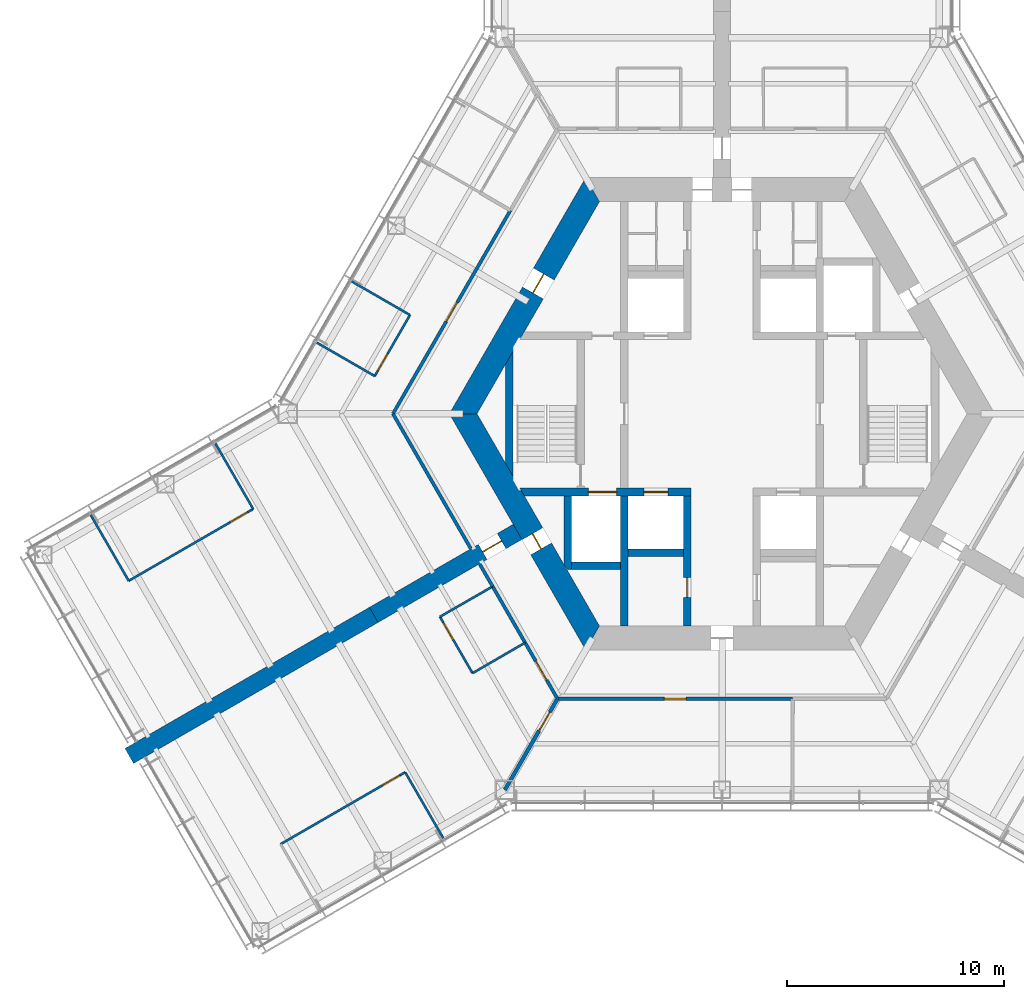
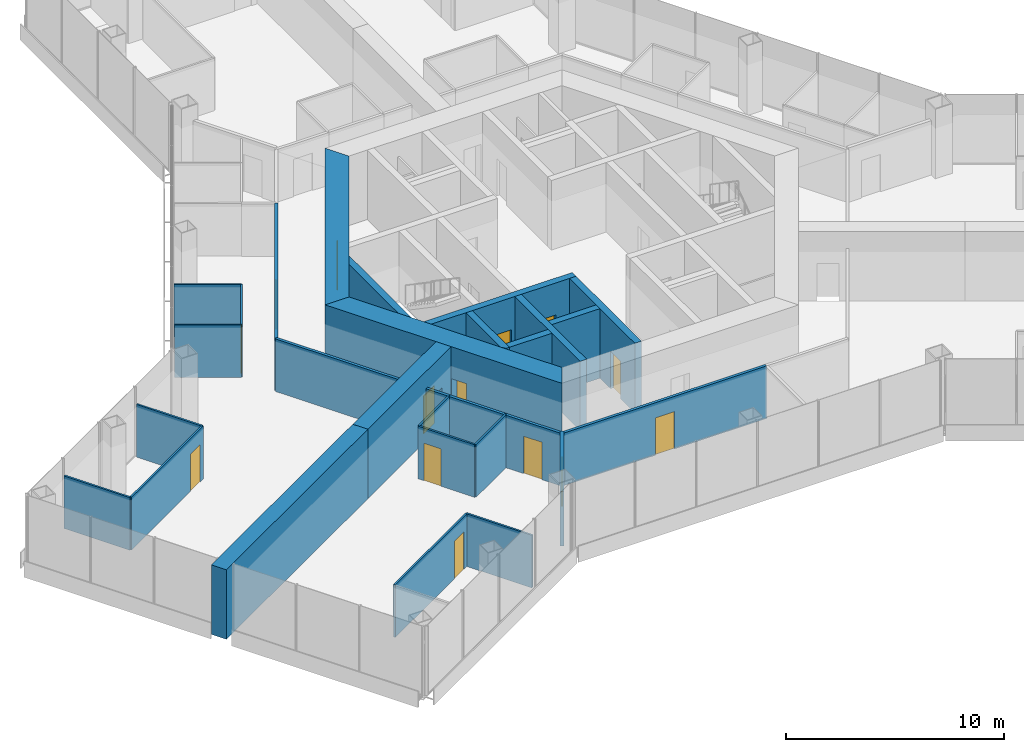
# One storey, part 12 of 18: 29 walls, 14 doors, 14 openings.
"""IFC4 building model written with IfcOpenShell, lengths in metres."""

from ifc_helpers import new_model, si_unit, direction, frame, frame_2d, origin, place, context, subcontext, project, spatial, polyline, rectangle, outline, extrude, material, layer, layer_set, type_object, element, fill, save


model = new_model("IFC4")

# Units and contexts
model_context = context("Model", 3, precision=1e-05, world=origin(), true_north=direction((0.0, 1.0)))
body_context = subcontext(model_context, "Body", "Model", "MODEL_VIEW")
ifc_project = project(units=[si_unit("LENGTHUNIT", "METRE"), si_unit("AREAUNIT", "SQUARE_METRE"), si_unit("VOLUMEUNIT", "CUBIC_METRE"), si_unit("PLANEANGLEUNIT", "RADIAN"), si_unit("MASSUNIT", "GRAM", prefix="KILO")], contexts=[model_context])

# Site, building, storey
site_placement = place(None, origin())
site = spatial("IfcSite", under=ifc_project, at=site_placement, CompositionType="ELEMENT")
building_placement = place(site_placement, origin())
building = spatial("IfcBuilding", under=site, at=building_placement, Name="Kasaneha Research Tower", CompositionType="ELEMENT")
storey_placement = place(building_placement, frame((0.0, 0.0, 65.10009765625)))
storey = spatial("IfcBuildingStorey", under=building, at=storey_placement, Name="L16", CompositionType="ELEMENT", Elevation=65.10009765625)

# Wall, openings, doors
ifc_material_1 = material(Name="Concrete Fc80", Category="concrete")
ifc_layer_1 = layer(ifc_material_1, 0.35009765625)
ifc_layer_set_1 = layer_set([ifc_layer_1], Name="Core internal wall 350 Fc80")
wall_type_1 = type_object("IfcWallType", Name="Core internal wall 350 Fc80", PredefinedType="SHEAR", material=ifc_layer_set_1)
wall_1_placement = place(storey_placement, frame((-9.208740234375, -3.60009765625, 0.0), z_axis=(0.0, 0.0, 1.0), x_axis=(1.0, 0.0, 0.0)))
wall_1 = element("IfcWall", 1, at=wall_1_placement, inside=storey, type_object=wall_type_1, Name="Core wall W2W L16", PredefinedType="SHEAR", context=body_context, shape_type="SweptSolid", body=[
    extrude(outline(polyline([(0.10107421875, -0.175048828125), (3.058837890625, -0.175048828125), (4.35888671875, -0.175048828125), (5.608642578125, -0.175048828125), (6.708740234375, -0.175048828125), (7.78369140625, -0.175048828125), (7.78369140625, 0.175048828125), (6.708740234375, 0.175048828125), (5.608642578125, 0.175048828125), (4.35888671875, 0.175048828125), (3.058837890625, 0.175048828125), (-0.10107421875, 0.175048828125), (0.10107421875, -0.175048828125)])), origin(), (0.0, 0.0, 1.0), 3.89990234375),
])
opening_1_placement = place(wall_1_placement, frame((5.608642578125, 0.0, 0.0)))
opening_1 = element("IfcOpeningElement", 2, at=opening_1_placement, cuts=wall_1, Name="Opening LD-LO2-L16", PredefinedType="OPENING", context=body_context, shape_type="SweptSolid", body=[
    extrude(rectangle(XDim=1.10009765625, YDim=2.10009765625, at=frame_2d((0.550048828125, 1.050048828125))), frame((0.0, 0.18505859375, 0.0), z_axis=(0.0, -1.0, 0.0), x_axis=(1.0, 0.0, 0.0)), (0.0, 0.0, 1.0), 0.3701171875),
])
opening_2_placement = place(wall_1_placement, frame((3.058837890625, 0.0, 0.0)))
opening_2 = element("IfcOpeningElement", 3, at=opening_2_placement, cuts=wall_1, Name="Opening LD-FL2-L16", PredefinedType="OPENING", context=body_context, shape_type="SweptSolid", body=[
    extrude(rectangle(XDim=1.300048828125, YDim=2.10009765625, at=frame_2d((0.64990234375, 1.050048828125))), frame((0.0, 0.18505859375, 0.0), z_axis=(0.0, -1.0, 0.0), x_axis=(1.0, 0.0, 0.0)), (0.0, 0.0, 1.0), 0.3701171875),
])
ifc_material_2 = material(Name="Steel", Category="steel")
door_type_1 = type_object("IfcDoorType", Name="Lift landing door 1100x2100", OperationType="DOUBLE_DOOR_SLIDING", PredefinedType="DOOR", material=ifc_material_2)
door_1_placement = place(opening_1_placement, origin())
door_1 = element("IfcDoor", 4, at=door_1_placement, inside=storey, type_object=door_type_1, Name="Landing door LO2 LD-LO2-L16", OperationType="DOUBLE_DOOR_SLIDING", OverallHeight=2.10009765625, OverallWidth=1.10009765625, PredefinedType="DOOR", context=body_context, shape_type="SweptSolid", body=[
    extrude(rectangle(XDim=1.10009765625, YDim=2.10009765625, at=frame_2d((0.550048828125, 1.050048828125))), frame((0.0, 0.02490234375, 0.0), z_axis=(0.0, -1.0, 0.0), x_axis=(1.0, 0.0, 0.0)), (0.0, 0.0, 1.0), 0.050048828125),
])
fill(opening_1, door_1)
ifc_material_3 = material(Name="Steel", Category="steel")
door_type_2 = type_object("IfcDoorType", Name="Lift landing door 1300x2100", OperationType="DOUBLE_DOOR_SLIDING", PredefinedType="DOOR", material=ifc_material_3)
door_2_placement = place(opening_2_placement, origin())
door_2 = element("IfcDoor", 5, at=door_2_placement, inside=storey, type_object=door_type_2, Name="Landing door FL2 LD-FL2-L16", OperationType="DOUBLE_DOOR_SLIDING", OverallHeight=2.10009765625, OverallWidth=1.300048828125, PredefinedType="DOOR", context=body_context, shape_type="SweptSolid", body=[
    extrude(rectangle(XDim=1.300048828125, YDim=2.10009765625, at=frame_2d((0.64990234375, 1.050048828125))), frame((0.0, 0.02490234375, 0.0), z_axis=(0.0, -1.0, 0.0), x_axis=(1.0, 0.0, 0.0)), (0.0, 0.0, 1.0), 0.050048828125),
])
fill(opening_2, door_2)

# Wall, opening, door
wall_2_placement = place(storey_placement, frame((-1.60009765625, -3.77490234375, 0.0), z_axis=(0.0, 0.0, 1.0), x_axis=(0.0, -1.0, 0.0)))
wall_2 = element("IfcWall", 6, at=wall_2_placement, inside=storey, type_object=wall_type_1, Name="Core wall CSW L16", PredefinedType="SHEAR", context=body_context, shape_type="SweptSolid", body=[
    extrude(rectangle(XDim=6.0, YDim=0.35009765625, at=frame_2d((3.0, 0.0))), origin(), (0.0, 0.0, 1.0), 3.89990234375),
])
opening_3_placement = place(wall_2_placement, frame((3.77490234375, 0.0, 0.0)))
opening_3 = element("IfcOpeningElement", 7, at=opening_3_placement, cuts=wall_2, Name="Opening L16-D16", PredefinedType="OPENING", context=body_context, shape_type="SweptSolid", body=[
    extrude(rectangle(XDim=0.89990234375, YDim=2.10009765625, at=frame_2d((0.449951171875, 1.050048828125))), frame((0.0, 0.18505859375, 0.0), z_axis=(0.0, -1.0, 0.0), x_axis=(1.0, 0.0, 0.0)), (0.0, 0.0, 1.0), 0.3701171875),
])
ifc_material_4 = material(Name="Steel", Category="steel")
door_type_3 = type_object("IfcDoorType", Name="Riser access door FD60 900x2100", OperationType="NOTDEFINED", PredefinedType="DOOR", material=ifc_material_4)
door_3_placement = place(opening_3_placement, origin())
door_3 = element("IfcDoor", 8, at=door_3_placement, inside=storey, type_object=door_type_3, Name="Electrical riser door L16-D16", OperationType="SINGLE_SWING_LEFT", OverallHeight=2.10009765625, OverallWidth=0.89990234375, PredefinedType="DOOR", context=body_context, shape_type="SweptSolid", body=[
    extrude(rectangle(XDim=0.89990234375, YDim=2.10009765625, at=frame_2d((0.449951171875, 1.050048828125))), frame((0.0, 0.02490234375, 0.0), z_axis=(0.0, -1.0, 0.0), x_axis=(1.0, 0.0, 0.0)), (0.0, 0.0, 1.0), 0.050048828125),
])
fill(opening_3, door_3)

# Walls
wall_3_placement = place(storey_placement, frame((-4.5, -3.77490234375, 0.0), z_axis=(0.0, 0.0, 1.0), x_axis=(0.0, -1.0, 0.0)))
element("IfcWall", 9, at=wall_3_placement, inside=storey, type_object=wall_type_1, Name="Core wall SSW L16", PredefinedType="SHEAR", context=body_context, shape_type="SweptSolid", body=[
    extrude(rectangle(XDim=6.0, YDim=0.35009765625, at=frame_2d((3.0, 0.0))), origin(), (0.0, 0.0, 1.0), 3.89990234375),
])
wall_4_placement = place(storey_placement, frame((-4.324951171875, -6.39990234375, 0.0), z_axis=(0.0, 0.0, 1.0), x_axis=(1.0, 0.0, 0.0)))
element("IfcWall", 10, at=wall_4_placement, inside=storey, type_object=wall_type_1, Name="Core wall S1S L16", PredefinedType="SHEAR", context=body_context, shape_type="SweptSolid", body=[
    extrude(rectangle(XDim=2.550048828125, YDim=0.35009765625, at=frame_2d((1.27490234375, 0.0))), origin(), (0.0, 0.0, 1.0), 3.89990234375),
])
wall_5_placement = place(storey_placement, frame((-6.925048828125, -7.0, 0.0), z_axis=(0.0, 0.0, 1.0), x_axis=(1.0, 0.0, 0.0)))
element("IfcWall", 11, at=wall_5_placement, inside=storey, type_object=wall_type_1, Name="Core wall F2S L16", PredefinedType="SHEAR", context=body_context, shape_type="SweptSolid", body=[
    extrude(rectangle(XDim=2.25, YDim=0.35009765625, at=frame_2d((1.125, 0.0))), origin(), (0.0, 0.0, 1.0), 3.89990234375),
])
wall_6_placement = place(storey_placement, frame((-7.10009765625, -3.77490234375, 0.0), z_axis=(0.0, 0.0, 1.0), x_axis=(0.0, -1.0, 0.0)))
element("IfcWall", 12, at=wall_6_placement, inside=storey, type_object=wall_type_1, Name="Core wall F2W L16", PredefinedType="SHEAR", context=body_context, shape_type="SweptSolid", body=[
    extrude(outline(polyline([(0.0, -0.175048828125), (3.174560546875, -0.175048828125), (3.400146484375, 0.0), (3.400146484375, 0.175048828125), (0.0, 0.175048828125), (0.0, -0.175048828125)])), origin(), (0.0, 0.0, 1.0), 3.89990234375),
])
wall_7_placement = place(storey_placement, frame((-9.807861328125, -2.562255859375, 0.0), z_axis=(0.0, 0.0, 1.0), x_axis=(0.0, 1.0, 0.0)))
element("IfcWall", 13, at=wall_7_placement, inside=storey, type_object=wall_type_1, Name="Core wall STW L16", PredefinedType="SHEAR", context=body_context, shape_type="SweptSolid", body=[
    extrude(outline(polyline([(-0.30322265625, -0.175048828125), (5.427734375, -0.175048828125), (4.8212890625, 0.175048828125), (0.30322265625, 0.175048828125), (-0.30322265625, -0.175048828125)])), origin(), (0.0, 0.0, 1.0), 3.89990234375),
])

# Wall, opening, door
ifc_material_5 = material(Name="Concrete Fc80", Category="concrete")
ifc_layer_2 = layer(ifc_material_5, 1.10009765625)
ifc_layer_set_2 = layer_set([ifc_layer_2], Name="Core wall 1100 Fc80")
wall_type_2 = type_object("IfcWallType", Name="Core wall 1100 Fc80", PredefinedType="SHEAR", material=ifc_layer_set_2)
wall_8_placement = place(storey_placement, frame((-5.961181640625, 10.324951171875, 0.0), z_axis=(0.0, 0.0, 1.0), x_axis=(-0.500004296715, -0.866022923061, 0.0)))
wall_8 = element("IfcWall", 14, at=wall_8_placement, inside=storey, type_object=wall_type_2, Name="Core wall 150 L16", PredefinedType="SHEAR", context=body_context, shape_type="SweptSolid", body=[
    extrude(outline(polyline([(-0.317626953125, -0.550048828125), (4.494140625, -0.550048828125), (5.494140625, -0.550048828125), (12.239990234375, -0.550048828125), (11.604736328125, 0.550048828125), (5.494140625, 0.550048828125), (4.494140625, 0.550048828125), (0.317626953125, 0.550048828125), (-0.317626953125, -0.550048828125)])), origin(), (0.0, 0.0, 1.0), 3.89990234375),
])
opening_4_placement = place(wall_8_placement, frame((4.494140625, 0.0, 0.0)))
opening_4 = element("IfcOpeningElement", 15, at=opening_4_placement, cuts=wall_8, Name="Opening L16-D07", PredefinedType="OPENING", context=body_context, shape_type="SweptSolid", body=[
    extrude(rectangle(XDim=1.0, YDim=2.10009765625, at=frame_2d((0.5, 1.050048828125))), frame((0.0, 0.56005859375, 0.0), z_axis=(0.0, -1.0, 0.0), x_axis=(1.0, 0.0, 0.0)), (0.0, 0.0, 1.0), 1.1201171875),
])
ifc_material_6 = material(Name="Steel", Category="steel")
door_type_4 = type_object("IfcDoorType", Name="Fire door FD20 1000x2100", OperationType="NOTDEFINED", PredefinedType="DOOR", material=ifc_material_6)
door_4_placement = place(opening_4_placement, origin())
door_4 = element("IfcDoor", 16, at=door_4_placement, inside=storey, type_object=door_type_4, Name="Vestibule door L16-D07", OperationType="SINGLE_SWING_LEFT", OverallHeight=2.10009765625, OverallWidth=1.0, PredefinedType="DOOR", context=body_context, shape_type="SweptSolid", body=[
    extrude(rectangle(XDim=1.0, YDim=2.10009765625, at=frame_2d((0.5, 1.050048828125))), frame((0.0, 0.02490234375, 0.0), z_axis=(0.0, -1.0, 0.0), x_axis=(1.0, 0.0, 0.0)), (0.0, 0.0, 1.0), 0.050048828125),
])
fill(opening_4, door_4)

wall_9_placement = place(storey_placement, frame((-11.92236328125, 0.0, 0.0), z_axis=(0.0, 0.0, 1.0), x_axis=(0.500004296715, -0.866022923061, 0.0)))
wall_9 = element("IfcWall", 17, at=wall_9_placement, inside=storey, type_object=wall_type_2, Name="Core wall 210 L16", PredefinedType="SHEAR", context=body_context, shape_type="SweptSolid", body=[
    extrude(outline(polyline([(-0.317626953125, -0.550048828125), (6.381103515625, -0.550048828125), (7.18115234375, -0.550048828125), (12.239990234375, -0.550048828125), (11.604736328125, 0.550048828125), (7.18115234375, 0.550048828125), (6.381103515625, 0.550048828125), (0.317626953125, 0.550048828125), (-0.317626953125, -0.550048828125)])), origin(), (0.0, 0.0, 1.0), 3.89990234375),
])
opening_5_placement = place(wall_9_placement, frame((6.381103515625, 0.0, 0.0)))
opening_5 = element("IfcOpeningElement", 18, at=opening_5_placement, cuts=wall_9, Name="Opening L16-D06", PredefinedType="OPENING", context=body_context, shape_type="SweptSolid", body=[
    extrude(rectangle(XDim=0.800048828125, YDim=2.10009765625, at=frame_2d((0.39990234375, 1.050048828125))), frame((0.0, 0.56005859375, 0.0), z_axis=(0.0, -1.0, 0.0), x_axis=(1.0, 0.0, 0.0)), (0.0, 0.0, 1.0), 1.1201171875),
])
ifc_material_7 = material(Name="Steel", Category="steel")
door_type_5 = type_object("IfcDoorType", Name="Riser access door FD60 800x2100", OperationType="NOTDEFINED", PredefinedType="DOOR", material=ifc_material_7)
door_5_placement = place(opening_5_placement, origin())
door_5 = element("IfcDoor", 19, at=door_5_placement, inside=storey, type_object=door_type_5, Name="Duct riser door L16-D06", OperationType="SINGLE_SWING_RIGHT", OverallHeight=2.10009765625, OverallWidth=0.800048828125, PredefinedType="DOOR", context=body_context, shape_type="SweptSolid", body=[
    extrude(rectangle(XDim=0.800048828125, YDim=2.10009765625, at=frame_2d((0.39990234375, 1.050048828125))), frame((0.0, 0.02490234375, 0.0), z_axis=(0.0, -1.0, 0.0), x_axis=(1.0, 0.0, 0.0)), (0.0, 0.0, 1.0), 0.050048828125),
])
fill(opening_5, door_5)

# Walls
ifc_material_8 = material(Name="Gypsum board on steel studs, one layer each side", Category="steel")
ifc_layer_3 = layer(ifc_material_8, 0.10009765625)
ifc_layer_set_3 = layer_set([ifc_layer_3], Name="Office partition 100")
wall_type_3 = type_object("IfcWallType", Name="Office partition 100", PredefinedType="PARTITIONING", material=ifc_layer_set_3)
wall_10_placement = place(storey_placement, frame((-27.324951171875, -7.693115234375, 0.0), z_axis=(0.0, 0.0, 1.0), x_axis=(-0.500010275428, 0.866019471182, 0.0)))
element("IfcWall", 20, at=wall_10_placement, inside=storey, type_object=wall_type_3, Name="Office partition FBN04 L16", PredefinedType="PARTITIONING", context=body_context, shape_type="SweptSolid", body=[
    extrude(rectangle(XDim=3.5, YDim=0.10009765625, at=frame_2d((1.75, 0.0))), origin(), (0.0, 0.0, 1.0), 2.949951171875),
])
wall_11_placement = place(storey_placement, frame((-23.332275390625, -1.36962890625, 0.0), z_axis=(0.0, 0.0, 1.0), x_axis=(0.500009906705, -0.86601968407, 0.0)))
element("IfcWall", 21, at=wall_11_placement, inside=storey, type_object=wall_type_3, Name="Office partition FBN05 L16", PredefinedType="PARTITIONING", context=body_context, shape_type="SweptSolid", body=[
    extrude(rectangle(XDim=3.47998046875, YDim=0.10009765625, at=frame_2d((1.739990234375, 0.0))), origin(), (0.0, 0.0, 1.0), 2.949951171875),
])

# Wall, opening, door
wall_12_placement = place(storey_placement, frame((-21.59228515625, -4.38330078125, 0.0), z_axis=(0.0, 0.0, 1.0), x_axis=(-0.866021597574, -0.500006592492, 0.0)))
wall_12 = element("IfcWall", 22, at=wall_12_placement, inside=storey, type_object=wall_type_3, Name="Office partition FBN06 L16", PredefinedType="PARTITIONING", context=body_context, shape_type="SweptSolid", body=[
    extrude(rectangle(XDim=6.61962890625, YDim=0.10009765625, at=frame_2d((3.309814453125, 0.0))), origin(), (0.0, 0.0, 1.0), 2.949951171875),
])
opening_6_placement = place(wall_12_placement, frame((0.300048828125, 0.0, 0.0)))
opening_6 = element("IfcOpeningElement", 23, at=opening_6_placement, cuts=wall_12, Name="Opening L16-D41", PredefinedType="OPENING", context=body_context, shape_type="SweptSolid", body=[
    extrude(rectangle(XDim=0.89990234375, YDim=2.10009765625, at=frame_2d((0.449951171875, 1.050048828125))), frame((0.0, 0.06005859375, 0.0), z_axis=(0.0, -1.0, 0.0), x_axis=(1.0, 0.0, 0.0)), (0.0, 0.0, 1.0), 0.1201171875),
])
ifc_material_9 = material(Name="Timber veneer", Category="wood")
door_type_6 = type_object("IfcDoorType", Name="Office door 900x2100", OperationType="SINGLE_SWING_LEFT", PredefinedType="DOOR", material=ifc_material_9)
door_6_placement = place(opening_6_placement, origin())
door_6 = element("IfcDoor", 24, at=door_6_placement, inside=storey, type_object=door_type_6, Name="Meeting room door L16-D41", OperationType="SINGLE_SWING_LEFT", OverallHeight=2.10009765625, OverallWidth=0.89990234375, PredefinedType="DOOR", context=body_context, shape_type="SweptSolid", body=[
    extrude(rectangle(XDim=0.89990234375, YDim=2.10009765625, at=frame_2d((0.449951171875, 1.050048828125))), frame((0.0, 0.02490234375, 0.0), z_axis=(0.0, -1.0, 0.0), x_axis=(1.0, 0.0, 0.0)), (0.0, 0.0, 1.0), 0.050048828125),
])
fill(opening_6, door_6)

# Walls
wall_13_placement = place(storey_placement, frame((-17.05615234375, 6.098876953125, 0.0), z_axis=(0.0, 0.0, 1.0), x_axis=(0.86600983753, -0.500026960575, 0.0)))
element("IfcWall", 25, at=wall_13_placement, inside=storey, type_object=wall_type_3, Name="Office partition FBN10 L16", PredefinedType="PARTITIONING", context=body_context, shape_type="SweptSolid", body=[
    extrude(rectangle(XDim=3.099853515625, YDim=0.10009765625, at=frame_2d((1.5498046875, 0.0))), origin(), (0.0, 0.0, 1.0), 2.949951171875),
])
wall_14_placement = place(storey_placement, frame((-15.99462890625, 1.7373046875, 0.0), z_axis=(0.0, 0.0, 1.0), x_axis=(-0.866029832698, 0.499992328818, 0.0)))
element("IfcWall", 26, at=wall_14_placement, inside=storey, type_object=wall_type_3, Name="Office partition FBN11 L16", PredefinedType="PARTITIONING", context=body_context, shape_type="SweptSolid", body=[
    extrude(rectangle(XDim=3.080078125, YDim=0.10009765625, at=frame_2d((1.5400390625, 0.0))), origin(), (0.0, 0.0, 1.0), 2.949951171875),
])

# Wall, opening, door
wall_15_placement = place(storey_placement, frame((-14.37158203125, 4.548828125, 0.0), z_axis=(0.0, 0.0, 1.0), x_axis=(-0.499956811548, -0.866050337213, 0.0)))
wall_15 = element("IfcWall", 27, at=wall_15_placement, inside=storey, type_object=wall_type_3, Name="Office partition FBN12 L16", PredefinedType="PARTITIONING", context=body_context, shape_type="SweptSolid", body=[
    extrude(rectangle(XDim=3.246337890625, YDim=0.10009765625, at=frame_2d((1.623046875, 0.0))), origin(), (0.0, 0.0, 1.0), 2.949951171875),
])
opening_7_placement = place(wall_15_placement, frame((2.04638671875, 0.0, 0.0)))
opening_7 = element("IfcOpeningElement", 28, at=opening_7_placement, cuts=wall_15, Name="Opening L16-D43", PredefinedType="OPENING", context=body_context, shape_type="SweptSolid", body=[
    extrude(rectangle(XDim=0.89990234375, YDim=2.10009765625, at=frame_2d((0.449951171875, 1.050048828125))), frame((0.0, 0.06005859375, 0.0), z_axis=(0.0, -1.0, 0.0), x_axis=(1.0, 0.0, 0.0)), (0.0, 0.0, 1.0), 0.1201171875),
])
door_7_placement = place(opening_7_placement, origin())
door_7 = element("IfcDoor", 29, at=door_7_placement, inside=storey, type_object=door_type_6, Name="Workroom door L16-D43", OperationType="SINGLE_SWING_RIGHT", OverallHeight=2.10009765625, OverallWidth=0.89990234375, PredefinedType="DOOR", context=body_context, shape_type="SweptSolid", body=[
    extrude(rectangle(XDim=0.89990234375, YDim=2.10009765625, at=frame_2d((0.449951171875, 1.050048828125))), frame((0.0, 0.02490234375, 0.0), z_axis=(0.0, -1.0, 0.0), x_axis=(1.0, 0.0, 0.0)), (0.0, 0.0, 1.0), 0.050048828125),
])
fill(opening_7, door_7)

wall_16_placement = place(storey_placement, frame((-20.324951171875, -19.8173828125, 0.0), z_axis=(0.0, 0.0, 1.0), x_axis=(0.866037567856, 0.499978930619, 0.0)))
wall_16 = element("IfcWall", 30, at=wall_16_placement, inside=storey, type_object=wall_type_3, Name="Office partition FBS04 L16", PredefinedType="PARTITIONING", context=body_context, shape_type="SweptSolid", body=[
    extrude(rectangle(XDim=6.619384765625, YDim=0.10009765625, at=frame_2d((3.3095703125, 0.0))), origin(), (0.0, 0.0, 1.0), 2.949951171875),
])
opening_8_placement = place(wall_16_placement, frame((5.419677734375, 0.0, 0.0)))
opening_8 = element("IfcOpeningElement", 31, at=opening_8_placement, cuts=wall_16, Name="Opening L16-D46", PredefinedType="OPENING", context=body_context, shape_type="SweptSolid", body=[
    extrude(rectangle(XDim=0.89990234375, YDim=2.10009765625, at=frame_2d((0.449951171875, 1.050048828125))), frame((0.0, 0.06005859375, 0.0), z_axis=(0.0, -1.0, 0.0), x_axis=(1.0, 0.0, 0.0)), (0.0, 0.0, 1.0), 0.1201171875),
])
door_8_placement = place(opening_8_placement, origin())
door_8 = element("IfcDoor", 32, at=door_8_placement, inside=storey, type_object=door_type_6, Name="Meeting room door L16-D46", OperationType="SINGLE_SWING_RIGHT", OverallHeight=2.10009765625, OverallWidth=0.89990234375, PredefinedType="DOOR", context=body_context, shape_type="SweptSolid", body=[
    extrude(rectangle(XDim=0.89990234375, YDim=2.10009765625, at=frame_2d((0.449951171875, 1.050048828125))), frame((0.0, 0.02490234375, 0.0), z_axis=(0.0, -1.0, 0.0), x_axis=(1.0, 0.0, 0.0)), (0.0, 0.0, 1.0), 0.050048828125),
])
fill(opening_8, door_8)

# Walls
wall_17_placement = place(storey_placement, frame((-14.59228515625, -16.5078125, 0.0), z_axis=(0.0, 0.0, 1.0), x_axis=(0.500010275428, -0.866019471182, 0.0)))
element("IfcWall", 33, at=wall_17_placement, inside=storey, type_object=wall_type_3, Name="Office partition FBS06 L16", PredefinedType="PARTITIONING", context=body_context, shape_type="SweptSolid", body=[
    extrude(rectangle(XDim=3.5, YDim=0.10009765625, at=frame_2d((1.75, 0.0))), origin(), (0.0, 0.0, 1.0), 2.949951171875),
])
wall_18_placement = place(storey_placement, frame((-12.991455078125, -9.34814453125, 0.0), z_axis=(0.0, 0.0, 1.0), x_axis=(0.866817750494, 0.498625097071, 0.0)))
element("IfcWall", 34, at=wall_18_placement, inside=storey, type_object=wall_type_3, Name="Office partition FBS07 L16", PredefinedType="PARTITIONING", context=body_context, shape_type="SweptSolid", body=[
    extrude(rectangle(XDim=2.80029296875, YDim=0.10009765625, at=frame_2d((1.400146484375, 0.0))), origin(), (0.0, 0.0, 1.0), 2.949951171875),
])

# Wall, opening, door
wall_19_placement = place(storey_placement, frame((-11.491455078125, -11.9462890625, 0.0), z_axis=(0.0, 0.0, 1.0), x_axis=(-0.499990139034, 0.866031096941, 0.0)))
wall_19 = element("IfcWall", 35, at=wall_19_placement, inside=storey, type_object=wall_type_3, Name="Office partition FBS08 L16", PredefinedType="PARTITIONING", context=body_context, shape_type="SweptSolid", body=[
    extrude(rectangle(XDim=3.0, YDim=0.10009765625, at=frame_2d((1.5, 0.0))), origin(), (0.0, 0.0, 1.0), 2.949951171875),
])
opening_9_placement = place(wall_19_placement, frame((1.800048828125, 0.0, 0.0)))
opening_9 = element("IfcOpeningElement", 36, at=opening_9_placement, cuts=wall_19, Name="Opening L16-D47", PredefinedType="OPENING", context=body_context, shape_type="SweptSolid", body=[
    extrude(rectangle(XDim=0.89990234375, YDim=2.10009765625, at=frame_2d((0.449951171875, 1.050048828125))), frame((0.0, 0.06005859375, 0.0), z_axis=(0.0, -1.0, 0.0), x_axis=(1.0, 0.0, 0.0)), (0.0, 0.0, 1.0), 0.1201171875),
])
door_9_placement = place(opening_9_placement, origin())
door_9 = element("IfcDoor", 37, at=door_9_placement, inside=storey, type_object=door_type_6, Name="Pantry door L16-D47", OperationType="SINGLE_SWING_RIGHT", OverallHeight=2.10009765625, OverallWidth=0.89990234375, PredefinedType="DOOR", context=body_context, shape_type="SweptSolid", body=[
    extrude(rectangle(XDim=0.89990234375, YDim=2.10009765625, at=frame_2d((0.449951171875, 1.050048828125))), frame((0.0, 0.02490234375, 0.0), z_axis=(0.0, -1.0, 0.0), x_axis=(1.0, 0.0, 0.0)), (0.0, 0.0, 1.0), 0.050048828125),
])
fill(opening_9, door_9)

# Wall
wall_20_placement = place(storey_placement, frame((-9.06884765625, -10.542236328125, 0.0), z_axis=(0.0, 0.0, 1.0), x_axis=(-0.865195372903, -0.501434907746, 0.0)))
element("IfcWall", 38, at=wall_20_placement, inside=storey, type_object=wall_type_3, Name="Office partition FBS09 L16", PredefinedType="PARTITIONING", context=body_context, shape_type="SweptSolid", body=[
    extrude(rectangle(XDim=2.800048828125, YDim=0.10009765625, at=frame_2d((1.39990234375, 0.0))), origin(), (0.0, 0.0, 1.0), 2.949951171875),
])

# Wall, opening, door
ifc_material_10 = material(Name="Concrete Fc80", Category="concrete")
ifc_layer_4 = layer(ifc_material_10, 0.800048828125)
ifc_layer_set_4 = layer_set([ifc_layer_4], Name="Spine wall 800 Fc80")
wall_type_4 = type_object("IfcWallType", Name="Spine wall 800 Fc80", PredefinedType="SHEAR", material=ifc_layer_set_4)
wall_21_placement = place(storey_placement, frame((-9.41796875, -5.4375, 0.0), z_axis=(0.0, 0.0, 1.0), x_axis=(-0.866029782078, -0.499992416496, 0.0)))
wall_21 = element("IfcWall", 39, at=wall_21_placement, inside=storey, type_object=wall_type_4, Name="Spine wall B L16", PredefinedType="SHEAR", context=body_context, shape_type="SweptSolid", body=[
    extrude(rectangle(XDim=7.6455078125, YDim=0.800048828125, at=frame_2d((3.82275390625, 0.0))), origin(), (0.0, 0.0, 1.0), 3.89990234375),
])
opening_10_placement = place(wall_21_placement, frame((0.85009765625, 0.0, 0.0)))
opening_10 = element("IfcOpeningElement", 40, at=opening_10_placement, cuts=wall_21, Name="Opening L16-D18", PredefinedType="OPENING", context=body_context, shape_type="SweptSolid", body=[
    extrude(rectangle(XDim=1.0, YDim=2.10009765625, at=frame_2d((0.5, 1.050048828125))), frame((0.0, 0.41015625, 0.0), z_axis=(0.0, -1.0, 0.0), x_axis=(1.0, 0.0, 0.0)), (0.0, 0.0, 1.0), 0.820068359375),
])
ifc_material_11 = material(Name="Steel", Category="steel")
door_type_7 = type_object("IfcDoorType", Name="Specified fire door FD60 1000x2100", OperationType="NOTDEFINED", PredefinedType="DOOR", material=ifc_material_11)
door_10_placement = place(opening_10_placement, origin())
door_10 = element("IfcDoor", 41, at=door_10_placement, inside=storey, type_object=door_type_7, Name="Spine doorway B L16-D18", OperationType="SINGLE_SWING_LEFT", OverallHeight=2.10009765625, OverallWidth=1.0, PredefinedType="DOOR", context=body_context, shape_type="SweptSolid", body=[
    extrude(rectangle(XDim=1.0, YDim=2.10009765625, at=frame_2d((0.5, 1.050048828125))), frame((0.0, 0.02490234375, 0.0), z_axis=(0.0, -1.0, 0.0), x_axis=(1.0, 0.0, 0.0)), (0.0, 0.0, 1.0), 0.050048828125),
])
fill(opening_10, door_10)

# Wall
wall_22_placement = place(storey_placement, frame((-16.039306640625, -9.26025390625, 0.0), z_axis=(0.0, 0.0, 1.0), x_axis=(-0.866024837091, -0.50000098154, 0.0)))
element("IfcWall", 42, at=wall_22_placement, inside=storey, type_object=wall_type_4, Name="Spine wall B wing L16", PredefinedType="SHEAR", context=body_context, shape_type="SweptSolid", body=[
    extrude(rectangle(XDim=13.0, YDim=0.800048828125, at=frame_2d((6.5, 0.0))), origin(), (0.0, 0.0, 1.0), 3.89990234375),
])

# Wall, opening, door
ifc_material_12 = material(Name="Gypsum board on steel studs, two layers each side", Category="steel")
ifc_layer_5 = layer(ifc_material_12, 0.14990234375)
ifc_layer_set_5 = layer_set([ifc_layer_5], Name="Suite partition 150")
wall_type_5 = type_object("IfcWallType", Name="Suite partition 150", PredefinedType="PARTITIONING", material=ifc_layer_set_5)
wall_23_placement = place(storey_placement, frame((-15.155517578125, 0.0, 0.0), z_axis=(0.0, 0.0, 1.0), x_axis=(0.499994365404, 0.866028656896, 0.0)))
wall_23 = element("IfcWall", 43, at=wall_23_placement, inside=storey, type_object=wall_type_5, Name="Suite partition FBN01 L16", PredefinedType="PARTITIONING", context=body_context, shape_type="SweptSolid", body=[
    extrude(rectangle(XDim=10.8291015625, YDim=0.14990234375, at=frame_2d((5.41455078125, 0.0))), origin(), (0.0, 0.0, 1.0), 2.949951171875),
])
opening_11_placement = place(wall_23_placement, frame((4.91455078125, 0.0, 0.0)))
opening_11 = element("IfcOpeningElement", 44, at=opening_11_placement, cuts=wall_23, Name="Opening L16-D39", PredefinedType="OPENING", context=body_context, shape_type="SweptSolid", body=[
    extrude(rectangle(XDim=1.0, YDim=2.10009765625, at=frame_2d((0.5, 1.050048828125))), frame((0.0, 0.0849609375, 0.0), z_axis=(0.0, -1.0, 0.0), x_axis=(1.0, 0.0, 0.0)), (0.0, 0.0, 1.0), 0.169921875),
])
ifc_material_13 = material(Name="Steel", Category="steel")
door_type_8 = type_object("IfcDoorType", Name="Suite entrance door FD60 1000x2100", OperationType="NOTDEFINED", PredefinedType="DOOR", material=ifc_material_13)
door_11_placement = place(opening_11_placement, origin())
door_11 = element("IfcDoor", 45, at=door_11_placement, inside=storey, type_object=door_type_8, Name="Suite entrance door L16-D39", OperationType="SINGLE_SWING_RIGHT", OverallHeight=2.10009765625, OverallWidth=1.0, PredefinedType="DOOR", context=body_context, shape_type="SweptSolid", body=[
    extrude(rectangle(XDim=1.0, YDim=2.10009765625, at=frame_2d((0.5, 1.050048828125))), frame((0.0, 0.02490234375, 0.0), z_axis=(0.0, -1.0, 0.0), x_axis=(1.0, 0.0, 0.0)), (0.0, 0.0, 1.0), 0.050048828125),
])
fill(opening_11, door_11)

# Walls
wall_24_placement = place(storey_placement, frame((-11.57666015625, -6.19873046875, 0.0), z_axis=(0.0, 0.0, 1.0), x_axis=(-0.500001961223, 0.866024271469, 0.0)))
element("IfcWall", 46, at=wall_24_placement, inside=storey, type_object=wall_type_5, Name="Suite partition FBN02 L16", PredefinedType="PARTITIONING", context=body_context, shape_type="SweptSolid", body=[
    extrude(rectangle(XDim=7.15771484375, YDim=0.14990234375, at=frame_2d((3.578857421875, 0.0))), origin(), (0.0, 0.0, 1.0), 2.949951171875),
])
wall_25_placement = place(storey_placement, frame((-9.064208984375, -10.550537109375, 0.0), z_axis=(0.0, 0.0, 1.0), x_axis=(-0.499977562641, 0.866038357612, 0.0)))
element("IfcWall", 47, at=wall_25_placement, inside=storey, type_object=wall_type_5, Name="Suite partition FBS01 L16", PredefinedType="PARTITIONING", context=body_context, shape_type="SweptSolid", body=[
    extrude(rectangle(XDim=3.010009765625, YDim=0.14990234375, at=frame_2d((1.5048828125, 0.0))), origin(), (0.0, 0.0, 1.0), 2.949951171875),
])
wall_26_placement = place(storey_placement, frame((-10.564208984375, -7.951904296875, 0.0), z_axis=(0.0, 0.0, 1.0), x_axis=(-0.500085263423, 0.865976171327, 0.0)))
element("IfcWall", 48, at=wall_26_placement, inside=storey, type_object=wall_type_5, Name="Suite partition FBS02 L16", PredefinedType="PARTITIONING", context=body_context, shape_type="SweptSolid", body=[
    extrude(rectangle(XDim=1.184326171875, YDim=0.14990234375, at=frame_2d((0.59228515625, 0.0))), origin(), (0.0, 0.0, 1.0), 2.949951171875),
])

# Wall, opening, door
wall_27_placement = place(storey_placement, frame((-7.58935546875, -13.10498046875, 0.0), z_axis=(0.0, 0.0, 1.0), x_axis=(-0.499972416139, 0.866041328748, 0.0)))
wall_27 = element("IfcWall", 49, at=wall_27_placement, inside=storey, type_object=wall_type_5, Name="Suite partition FBS03 L16", PredefinedType="PARTITIONING", context=body_context, shape_type="SweptSolid", body=[
    extrude(rectangle(XDim=2.959228515625, YDim=0.14990234375, at=frame_2d((1.4794921875, 0.0))), origin(), (0.0, 0.0, 1.0), 2.949951171875),
])
opening_12_placement = place(wall_27_placement, frame((0.9794921875, 0.0, 0.0)))
opening_12 = element("IfcOpeningElement", 50, at=opening_12_placement, cuts=wall_27, Name="Opening L16-D45", PredefinedType="OPENING", context=body_context, shape_type="SweptSolid", body=[
    extrude(rectangle(XDim=1.0, YDim=2.10009765625, at=frame_2d((0.5, 1.050048828125))), frame((0.0, 0.0849609375, 0.0), z_axis=(0.0, -1.0, 0.0), x_axis=(1.0, 0.0, 0.0)), (0.0, 0.0, 1.0), 0.169921875),
])
door_12_placement = place(opening_12_placement, origin())
door_12 = element("IfcDoor", 51, at=door_12_placement, inside=storey, type_object=door_type_8, Name="Suite entrance door L16-D45", OperationType="SINGLE_SWING_RIGHT", OverallHeight=2.10009765625, OverallWidth=1.0, PredefinedType="DOOR", context=body_context, shape_type="SweptSolid", body=[
    extrude(rectangle(XDim=1.0, YDim=2.10009765625, at=frame_2d((0.5, 1.050048828125))), frame((0.0, 0.02490234375, 0.0), z_axis=(0.0, -1.0, 0.0), x_axis=(1.0, 0.0, 0.0)), (0.0, 0.0, 1.0), 0.050048828125),
])
fill(opening_12, door_12)

wall_28_placement = place(storey_placement, frame((3.25146484375, -13.125, 0.0), z_axis=(0.0, 0.0, 1.0), x_axis=(-1.0, 0.0, 0.0)))
wall_28 = element("IfcWall", 52, at=wall_28_placement, inside=storey, type_object=wall_type_5, Name="Suite partition FCS03 L16", PredefinedType="PARTITIONING", context=body_context, shape_type="SweptSolid", body=[
    extrude(rectangle(XDim=10.80615234375, YDim=0.14990234375, at=frame_2d((5.403076171875, 0.0))), origin(), (0.0, 0.0, 1.0), 2.949951171875),
])
opening_13_placement = place(wall_28_placement, frame((4.903076171875, 0.0, 0.0)))
opening_13 = element("IfcOpeningElement", 53, at=opening_13_placement, cuts=wall_28, Name="Opening L16-D51", PredefinedType="OPENING", context=body_context, shape_type="SweptSolid", body=[
    extrude(rectangle(XDim=1.0, YDim=2.10009765625, at=frame_2d((0.5, 1.050048828125))), frame((0.0, 0.0849609375, 0.0), z_axis=(0.0, -1.0, 0.0), x_axis=(1.0, 0.0, 0.0)), (0.0, 0.0, 1.0), 0.169921875),
])
door_13_placement = place(opening_13_placement, origin())
door_13 = element("IfcDoor", 54, at=door_13_placement, inside=storey, type_object=door_type_8, Name="Suite entrance door L16-D51", OperationType="SINGLE_SWING_LEFT", OverallHeight=2.10009765625, OverallWidth=1.0, PredefinedType="DOOR", context=body_context, shape_type="SweptSolid", body=[
    extrude(rectangle(XDim=1.0, YDim=2.10009765625, at=frame_2d((0.5, 1.050048828125))), frame((0.0, 0.02490234375, 0.0), z_axis=(0.0, -1.0, 0.0), x_axis=(1.0, 0.0, 0.0)), (0.0, 0.0, 1.0), 0.050048828125),
])
fill(opening_13, door_13)

ifc_material_14 = material(Name="Gypsum board on steel studs, two layers each side", Category="steel")
ifc_layer_6 = layer(ifc_material_14, 0.175048828125)
ifc_layer_set_6 = layer_set([ifc_layer_6], Name="Tenancy fire partition 175")
wall_type_6 = type_object("IfcWallType", Name="Tenancy fire partition 175", PredefinedType="PARTITIONING", material=ifc_layer_set_6)
wall_29_placement = place(storey_placement, frame((-7.57763671875, -13.125, 0.0), z_axis=(0.0, 0.0, 1.0), x_axis=(-0.500008905493, -0.866020262135, 0.0)))
wall_29 = element("IfcWall", 55, at=wall_29_placement, inside=storey, type_object=wall_type_6, Name="Tenancy fire partition T240 L16", PredefinedType="PARTITIONING", context=body_context, shape_type="SweptSolid", body=[
    extrude(rectangle(XDim=4.8447265625, YDim=0.175048828125, at=frame_2d((2.42236328125, 0.0))), origin(), (0.0, 0.0, 1.0), 3.0498046875),
])
opening_14_placement = place(wall_29_placement, frame((0.699951171875, 0.0, 0.0)))
opening_14 = element("IfcOpeningElement", 56, at=opening_14_placement, cuts=wall_29, Name="Opening L16-D27", PredefinedType="OPENING", context=body_context, shape_type="SweptSolid", body=[
    extrude(rectangle(XDim=1.0, YDim=2.10009765625, at=frame_2d((0.5, 1.050048828125))), frame((0.0, 0.09765625, 0.0), z_axis=(0.0, -1.0, 0.0), x_axis=(1.0, 0.0, 0.0)), (0.0, 0.0, 1.0), 0.195068359375),
])
door_14_placement = place(opening_14_placement, origin())
door_14 = element("IfcDoor", 57, at=door_14_placement, inside=storey, type_object=door_type_8, Name="Connecting door L16-D27", OperationType="SINGLE_SWING_LEFT", OverallHeight=2.10009765625, OverallWidth=1.0, PredefinedType="DOOR", context=body_context, shape_type="SweptSolid", body=[
    extrude(rectangle(XDim=1.0, YDim=2.10009765625, at=frame_2d((0.5, 1.050048828125))), frame((0.0, 0.02490234375, 0.0), z_axis=(0.0, -1.0, 0.0), x_axis=(1.0, 0.0, 0.0)), (0.0, 0.0, 1.0), 0.050048828125),
])
fill(opening_14, door_14)

save(model, "model.ifc")
